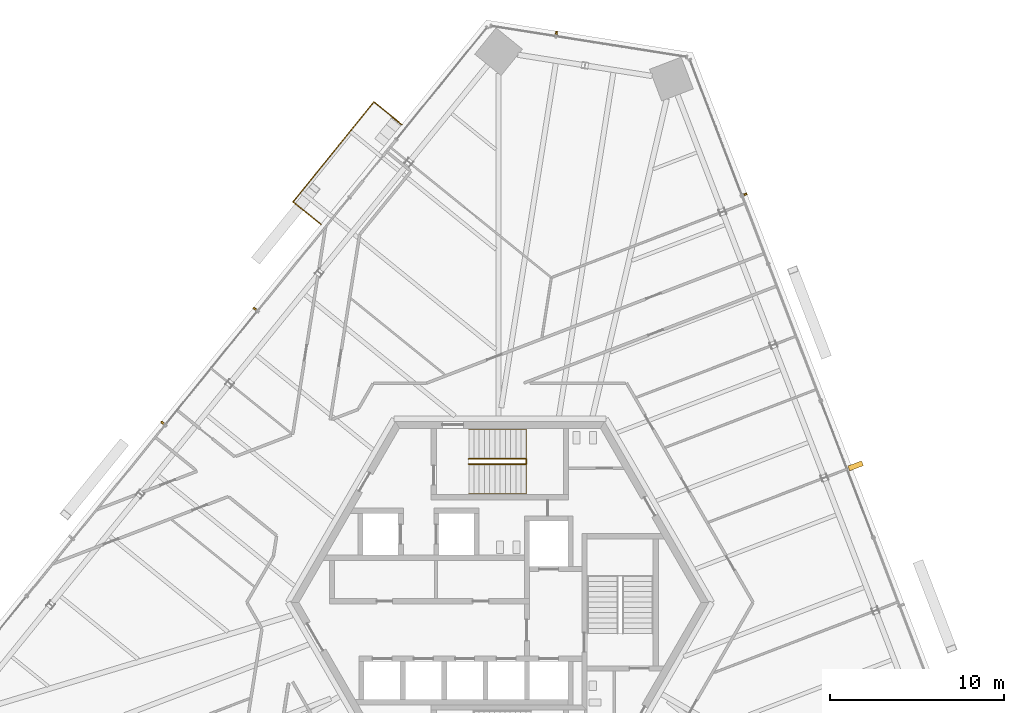
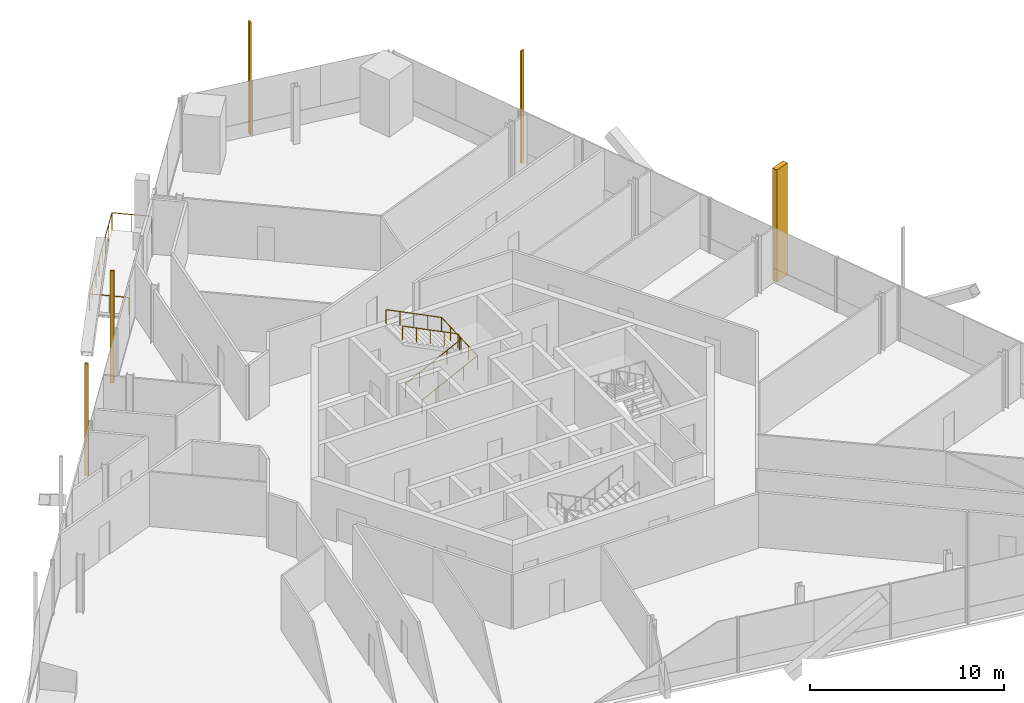
# One storey, part 18 of 21: 5 shading devices, 3 railings.
"""IFC4 building model written with IfcOpenShell, lengths in metres."""

from ifc_helpers import new_model, si_unit, direction, frame, origin, origin_2d, place, context, subcontext, project, spatial, rectangle, circle, extrude, source, transform, mapped, material, type_object, element, save


model = new_model("IFC4")

# Units and contexts
model_context = context("Model", 3, precision=1e-05, world=origin(), true_north=direction((0.0, 1.0)))
body_context = subcontext(model_context, "Body", "Model", "MODEL_VIEW")
ifc_project = project(units=[si_unit("LENGTHUNIT", "METRE"), si_unit("AREAUNIT", "SQUARE_METRE"), si_unit("VOLUMEUNIT", "CUBIC_METRE"), si_unit("PLANEANGLEUNIT", "RADIAN"), si_unit("MASSUNIT", "GRAM", prefix="KILO")], contexts=[model_context])

# Site, building, storey
site_placement = place(None, origin())
site = spatial("IfcSite", under=ifc_project, at=site_placement, CompositionType="ELEMENT")
building_placement = place(site_placement, origin())
building = spatial("IfcBuilding", under=site, at=building_placement, Name="Triune Harvest Tower", CompositionType="ELEMENT")
storey_placement = place(building_placement, frame((0.0, 0.0, 160.5)))
storey = spatial("IfcBuildingStorey", under=building, at=storey_placement, Name="L41", CompositionType="ELEMENT", Elevation=160.5)

# Railings
ifc_material_1 = material(Name="Glass", Category="glass")
railing_type_1 = type_object("IfcRailingType", Name="GD-2 balcony guard 1100", PredefinedType="GUARDRAIL", material=ifc_material_1)
railing_1_placement = place(storey_placement, frame((-5.64013671875, 27.43798828125, 0.0)))
element("IfcRailing", 1, at=railing_1_placement, inside=storey, type_object=railing_type_1, Name="Balcony guard B4-F3 L41.3", PredefinedType="GUARDRAIL", context=body_context, shape_type="SweptSolid", body=[
    extrude(circle(Radius=0.02392578125, at=origin_2d()), frame((0.0, 0.0, 1.076171875), z_axis=(-0.777134540847, 0.629334494066, 0.0), x_axis=(-0.629334494066, -0.777134540847, 0.0)), (0.0, 0.0, 1.0), 2.0615234375),
    extrude(circle(Radius=0.02392578125, at=origin_2d()), frame((-1.60205078125, 1.29736328125, 1.076171875), z_axis=(-0.629325806268, -0.777141576269, 0.0), x_axis=(0.777141576269, -0.629325806268, 0.0)), (0.0, 0.0, 1.0), 7.376220703125),
    extrude(circle(Radius=0.02392578125, at=origin_2d()), frame((-6.244140625, -4.43505859375, 1.076171875), z_axis=(0.777192463097, -0.629262961968, 0.0), x_axis=(0.629262961968, 0.777192463097, 0.0)), (0.0, 0.0, 1.0), 2.061279296875),
    extrude(circle(Radius=0.02099609375, at=origin_2d()), origin(), (0.0, 0.0, 1.0), 1.052001953125),
    extrude(circle(Radius=0.02099609375, at=origin_2d()), frame((-0.801025390625, 0.648681640625, 0.0)), (0.0, 0.0, 1.0), 1.052001953125),
    extrude(circle(Radius=0.02099609375, at=origin_2d()), frame((-1.60205078125, 1.29736328125, 0.0)), (0.0, 0.0, 1.0), 1.052001953125),
    extrude(circle(Radius=0.02099609375, at=origin_2d()), frame((-2.26513671875, 0.478515625, 0.0)), (0.0, 0.0, 1.0), 1.052001953125),
    extrude(circle(Radius=0.02099609375, at=origin_2d()), frame((-2.928466796875, -0.340576171875, 0.0)), (0.0, 0.0, 1.0), 1.052001953125),
    extrude(circle(Radius=0.02099609375, at=origin_2d()), frame((-3.591552734375, -1.159423828125, 0.0)), (0.0, 0.0, 1.0), 1.052001953125),
    extrude(circle(Radius=0.02099609375, at=origin_2d()), frame((-4.254638671875, -1.978271484375, 0.0)), (0.0, 0.0, 1.0), 1.052001953125),
    extrude(circle(Radius=0.02099609375, at=origin_2d()), frame((-4.917724609375, -2.797119140625, 0.0)), (0.0, 0.0, 1.0), 1.052001953125),
    extrude(circle(Radius=0.02099609375, at=origin_2d()), frame((-5.5810546875, -3.6162109375, 0.0)), (0.0, 0.0, 1.0), 1.052001953125),
    extrude(circle(Radius=0.02099609375, at=origin_2d()), frame((-6.244140625, -4.43505859375, 0.0)), (0.0, 0.0, 1.0), 1.052001953125),
    extrude(circle(Radius=0.02099609375, at=origin_2d()), frame((-5.443115234375, -5.08349609375, 0.0)), (0.0, 0.0, 1.0), 1.052001953125),
    extrude(circle(Radius=0.02099609375, at=origin_2d()), frame((-4.64208984375, -5.732177734375, 0.0)), (0.0, 0.0, 1.0), 1.052001953125),
])
ifc_material_2 = material(Name="Stainless steel AISI 316", Category="steel")
railing_type_2 = type_object("IfcRailingType", Name="Stair handrail", PredefinedType="HANDRAIL", material=ifc_material_2)
shared_shape_1 = source(origin(), body_context, "Body", "SweptSolid", [
    extrude(circle(Radius=0.02392578125, at=origin_2d()), frame((0.0, 0.0, 0.8759765625), z_axis=(0.894413956696, 0.0, 0.447240063129), x_axis=(0.0, 1.0, 0.0)), (0.0, 0.0, 1.0), 3.689697265625),
    extrude(circle(Radius=0.02392578125, at=origin_2d()), frame((3.300048828125, 0.0, 2.52587890625), z_axis=(0.0, 0.999180289278, 0.040481471304), x_axis=(-1.0, 0.0, 0.0)), (0.0, 0.0, 1.0), 3.702880859375),
    extrude(circle(Radius=0.02392578125, at=origin_2d()), frame((3.300048828125, 3.699951171875, 2.67578125), z_axis=(-0.894413956696, 0.0, 0.447240063129), x_axis=(0.0, -1.0, 0.0)), (0.0, 0.0, 1.0), 3.689697265625),
    extrude(circle(Radius=0.02099609375, at=origin_2d()), origin(), (0.0, 0.0, 1.0), 0.851806640625),
    extrude(circle(Radius=0.02099609375, at=origin_2d()), frame((0.824951171875, 0.0, 0.41259765625)), (0.0, 0.0, 1.0), 0.851806640625),
    extrude(circle(Radius=0.02099609375, at=origin_2d()), frame((1.64990234375, 0.0, 0.8251953125)), (0.0, 0.0, 1.0), 0.851806640625),
    extrude(circle(Radius=0.02099609375, at=origin_2d()), frame((2.47509765625, 0.0, 1.237548828125)), (0.0, 0.0, 1.0), 0.851806640625),
    extrude(circle(Radius=0.02099609375, at=origin_2d()), frame((3.300048828125, 0.0, 1.650146484375)), (0.0, 0.0, 1.0), 0.851806640625),
    extrude(circle(Radius=0.02099609375, at=origin_2d()), frame((3.300048828125, 0.925048828125, 1.6875)), (0.0, 0.0, 1.0), 0.851806640625),
    extrude(circle(Radius=0.02099609375, at=origin_2d()), frame((3.300048828125, 1.85009765625, 1.72509765625)), (0.0, 0.0, 1.0), 0.851806640625),
    extrude(circle(Radius=0.02099609375, at=origin_2d()), frame((3.300048828125, 2.77490234375, 1.7626953125)), (0.0, 0.0, 1.0), 0.851806640625),
    extrude(circle(Radius=0.02099609375, at=origin_2d()), frame((3.300048828125, 3.699951171875, 1.800048828125)), (0.0, 0.0, 1.0), 0.851806640625),
    extrude(circle(Radius=0.02099609375, at=origin_2d()), frame((2.47509765625, 3.699951171875, 2.212646484375)), (0.0, 0.0, 1.0), 0.851806640625),
    extrude(circle(Radius=0.02099609375, at=origin_2d()), frame((1.64990234375, 3.699951171875, 2.625)), (0.0, 0.0, 1.0), 0.851806640625),
    extrude(circle(Radius=0.02099609375, at=origin_2d()), frame((0.824951171875, 3.699951171875, 3.03759765625)), (0.0, 0.0, 1.0), 0.851806640625),
    extrude(circle(Radius=0.02099609375, at=origin_2d()), frame((0.0, 3.699951171875, 3.4501953125)), (0.0, 0.0, 1.0), 0.851806640625),
])
railing_2_placement = place(storey_placement, frame((-1.7900390625, 6.239990234375, 0.14990234375)))
element("IfcRailing", 2, at=railing_2_placement, inside=storey, type_object=railing_type_2, Name="Exit stair north wall handrail", PredefinedType="HANDRAIL", context=body_context, shape_type="MappedRepresentation", body=[
    mapped(shared_shape_1, transform((0.0, 0.0, 0.0), scale=1.0)),
])
shared_shape_2 = source(origin(), body_context, "Body", "SweptSolid", [
    extrude(circle(Radius=0.02392578125, at=origin_2d()), frame((0.0, 0.0, 0.8759765625), z_axis=(0.894413956696, 0.0, 0.447240063129), x_axis=(0.0, 1.0, 0.0)), (0.0, 0.0, 1.0), 3.689697265625),
    extrude(circle(Radius=0.02392578125, at=origin_2d()), frame((3.300048828125, 0.0, 2.52587890625), z_axis=(0.0, 0.894572720946, 0.446922417137), x_axis=(-1.0, 0.0, 0.0)), (0.0, 0.0, 1.0), 0.33544921875),
    extrude(circle(Radius=0.02392578125, at=origin_2d()), frame((3.300048828125, 0.300048828125, 2.67578125), z_axis=(-0.894413956696, 0.0, 0.447240063129), x_axis=(0.0, -1.0, 0.0)), (0.0, 0.0, 1.0), 3.689697265625),
    extrude(circle(Radius=0.02099609375, at=origin_2d()), origin(), (0.0, 0.0, 1.0), 0.851806640625),
    extrude(circle(Radius=0.02099609375, at=origin_2d()), frame((0.824951171875, 0.0, 0.41259765625)), (0.0, 0.0, 1.0), 0.851806640625),
    extrude(circle(Radius=0.02099609375, at=origin_2d()), frame((1.64990234375, 0.0, 0.8251953125)), (0.0, 0.0, 1.0), 0.851806640625),
    extrude(circle(Radius=0.02099609375, at=origin_2d()), frame((2.47509765625, 0.0, 1.237548828125)), (0.0, 0.0, 1.0), 0.851806640625),
    extrude(circle(Radius=0.02099609375, at=origin_2d()), frame((3.300048828125, 0.0, 1.650146484375)), (0.0, 0.0, 1.0), 0.851806640625),
    extrude(circle(Radius=0.02099609375, at=origin_2d()), frame((3.300048828125, 0.300048828125, 1.800048828125)), (0.0, 0.0, 1.0), 0.851806640625),
    extrude(circle(Radius=0.02099609375, at=origin_2d()), frame((2.47509765625, 0.300048828125, 2.212646484375)), (0.0, 0.0, 1.0), 0.851806640625),
    extrude(circle(Radius=0.02099609375, at=origin_2d()), frame((1.64990234375, 0.300048828125, 2.625)), (0.0, 0.0, 1.0), 0.851806640625),
    extrude(circle(Radius=0.02099609375, at=origin_2d()), frame((0.824951171875, 0.300048828125, 3.03759765625)), (0.0, 0.0, 1.0), 0.851806640625),
    extrude(circle(Radius=0.02099609375, at=origin_2d()), frame((0.0, 0.300048828125, 3.4501953125)), (0.0, 0.0, 1.0), 0.851806640625),
])
railing_3_placement = place(storey_placement, frame((-1.7900390625, 7.93994140625, 0.14990234375)))
element("IfcRailing", 3, at=railing_3_placement, inside=storey, type_object=railing_type_2, Name="Exit stair north centre handrail", PredefinedType="HANDRAIL", context=body_context, shape_type="MappedRepresentation", body=[
    mapped(shared_shape_2, transform((0.0, 0.0, 0.0), scale=1.0)),
])

# Shading devices
ifc_material_3 = material(Name="Aluminium bronze anodised", Category="aluminium")
shared_shape_3 = source(origin(), body_context, "Body", "SweptSolid", [
    extrude(rectangle(XDim=0.10009765625, YDim=0.199951171875, at=origin_2d()), origin(), (0.0, 0.0, 1.0), 7.0400390625),
])
for number, where, z_axis, x_axis, name in (
    (4, (14.08984375, 23.43017578125, 0.0), (0.0, 0.0, 1.0), (-0.35836927228, 0.933579918746, 0.0), "FN-1 fin B4-F1.11 L41"),
    (5, (3.24365234375, 32.7041015625, 0.0), (0.0, 0.0, 1.0), (-0.987688615663, 0.156432728322, 0.0), "FN-1 fin B4-F2.3 L41"),
    (6, (-14.0791015625, 16.858154296875, 0.0), (0.0, 0.0, 1.0), (-0.629321459087, -0.777145096577, 0.0), "FN-1 fin B4-F3.6 L41"),
    (7, (-19.37939453125, 10.31298828125, 0.0), (0.0, 0.0, 1.0), (-0.629321459087, -0.777145096577, 0.0), "FN-1 fin B4-F3.8 L41"),
):
    element("IfcShadingDevice", number, at=place(storey_placement, frame(where, z_axis=z_axis, x_axis=x_axis)), inside=storey, material=ifc_material_3, Name=name, ObjectType="FIN", PredefinedType="USERDEFINED", context=body_context, shape_type="MappedRepresentation", body=[
        mapped(shared_shape_3, transform((0.0, 0.0, 0.0), scale=1.0)),
    ])
shared_shape_4 = source(origin(), body_context, "Body", "SweptSolid", [
    extrude(rectangle(XDim=0.300048828125, YDim=0.85009765625, at=origin_2d()), origin(), (0.0, 0.0, 1.0), 7.0400390625),
])
shading_device_placement = place(storey_placement, frame((20.422607421875, 7.839599609375, 0.0), z_axis=(0.0, 0.0, 1.0), x_axis=(-0.35836927228, 0.933579918746, 0.0)))
element("IfcShadingDevice", 8, at=shading_device_placement, inside=storey, material=ifc_material_3, Name="FN-2 fin B4-F1.7 L41", ObjectType="FIN", PredefinedType="USERDEFINED", context=body_context, shape_type="MappedRepresentation", body=[
    mapped(shared_shape_4, transform((0.0, 0.0, 0.0), scale=1.0)),
])

save(model, "model.ifc")
